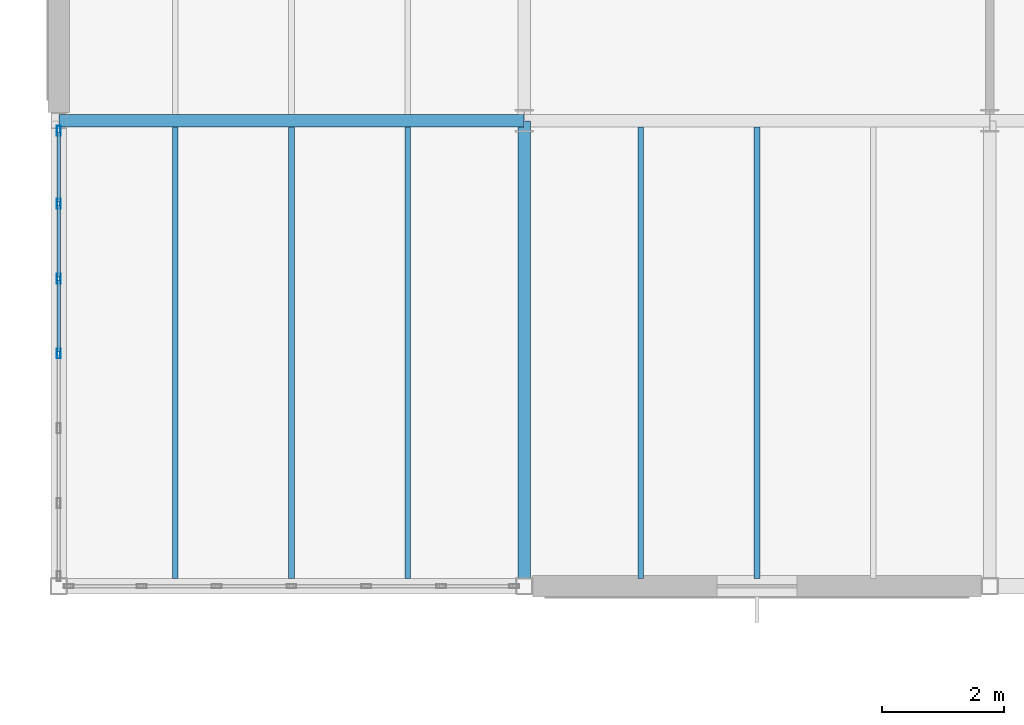
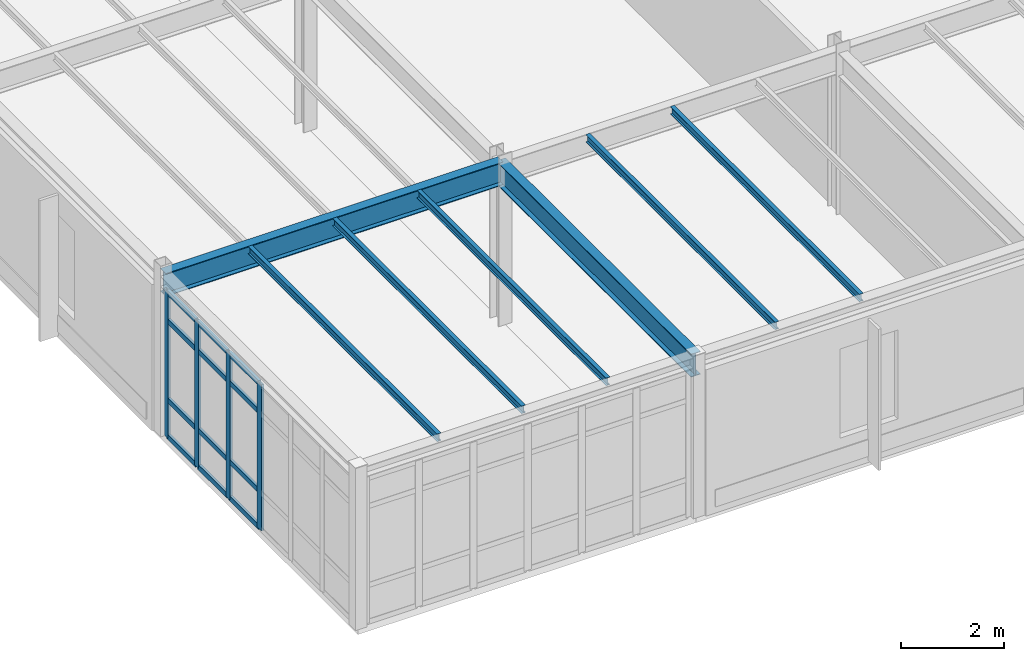
# One storey, part 59 of 189: 16 members, 7 beams, 1 element without a shape of its own.
"""IFC4 building model written with IfcOpenShell, lengths in metres."""

import ifcopenshell
import ifcopenshell.guid

model = None  # the IFC model being written
_history = None  # IfcOwnerHistory: only IFC2X3 demands one
_inside = {}  # id of a spatial element -> (the spatial element, [elements in it])
_under = {}  # id of a project, library or spatial element -> (it, [spatial elements below it])
_declared = {}  # id of a project -> (the project, [libraries it declares])
_typed = {}  # id of a type object -> (the type object, [elements of that type])
_made_of = {}  # id of a material, layer set ... -> (it, [elements and type objects made of it])


def new_model(schema):
    """Start an empty IFC model of exactly this schema.

    Asked for "IFC4X3", IfcOpenShell would pick the latest addendum, in which some entities
    have other attributes; the version numbers below select the first issue.
    IFC2X3 requires an IfcOwnerHistory on every rooted entity: one is made here for all.
    """
    global model, _history
    if schema == "IFC4X3":
        model = ifcopenshell.file(schema_version=(4, 3, 0, 0))
    else:
        model = ifcopenshell.file(schema=schema)
    _inside.clear()
    _under.clear()
    _declared.clear()
    _typed.clear()
    _made_of.clear()
    _history = None
    if model.schema == "IFC2X3":
        org = make("IfcOrganization", Name="unknown")
        user = make(
            "IfcPersonAndOrganization",
            ThePerson=make("IfcPerson", FamilyName="unknown"),
            TheOrganization=org,
        )
        app = make(
            "IfcApplication",
            ApplicationDeveloper=org,
            Version="unknown",
            ApplicationFullName="unknown",
            ApplicationIdentifier="unknown",
        )
        _history = make(
            "IfcOwnerHistory",
            OwningUser=user,
            OwningApplication=app,
            ChangeAction="ADDED",
            CreationDate=0,
        )
    return model


def make(cls, **values):
    """One entity of the class cls with the attributes given. An attribute that is None is left unset."""
    return model.create_entity(
        cls, **{name: value for name, value in values.items() if value is not None}
    )


def rooted(cls, **values):
    """An entity with a GlobalId (a new one), such as an element, a storey or a relation."""
    return make(cls, GlobalId=ifcopenshell.guid.new(), OwnerHistory=_history, **values)


def si_unit(unit_type, name, prefix=None):
    """IfcSIUnit, for example si_unit("LENGTHUNIT", "METRE", prefix="MILLI")."""
    return make("IfcSIUnit", UnitType=unit_type, Prefix=prefix, Name=name)


def assignment(units):
    """IfcUnitAssignment: the units of a project."""
    return None if units is None else make("IfcUnitAssignment", Units=units)


def point(xyz):
    """IfcCartesianPoint."""
    return None if xyz is None else make("IfcCartesianPoint", Coordinates=xyz)


def direction(xyz):
    """IfcDirection."""
    return None if xyz is None else make("IfcDirection", DirectionRatios=xyz)


def frame(location, z_axis=None, x_axis=None):
    """IfcAxis2Placement3D, a coordinate frame: its origin and axes. An axis left out is left unset."""
    return make(
        "IfcAxis2Placement3D",
        Location=point(location),
        Axis=direction(z_axis),
        RefDirection=direction(x_axis),
    )


def frame_2d(location, x_axis=None):
    """IfcAxis2Placement2D, a coordinate frame in the plane: its origin and x axis."""
    return make(
        "IfcAxis2Placement2D", Location=point(location), RefDirection=direction(x_axis)
    )


def origin():
    """The frame at (0, 0, 0) with its axes left unset."""
    return frame((0.0, 0.0, 0.0))


def origin_2d():
    """The frame at (0, 0) in the plane with its x axis left unset."""
    return frame_2d((0.0, 0.0))


def place(relative_to, where):
    """IfcLocalPlacement: puts the frame where relative to a parent placement (None: the world)."""
    return make(
        "IfcLocalPlacement", PlacementRelTo=relative_to, RelativePlacement=where
    )


def context(
    kind, dimensions, precision=None, world=None, true_north=None, identifier=None
):
    """IfcGeometricRepresentationContext, for example the 3D "Model" context."""
    return make(
        "IfcGeometricRepresentationContext",
        ContextIdentifier=identifier,
        ContextType=kind,
        CoordinateSpaceDimension=dimensions,
        Precision=precision,
        WorldCoordinateSystem=world,
        TrueNorth=true_north,
    )


def subcontext(parent, identifier, kind, view, scale=None):
    """IfcGeometricRepresentationSubContext, for example "Body" below "Model"."""
    return make(
        "IfcGeometricRepresentationSubContext",
        ContextIdentifier=identifier,
        ContextType=kind,
        ParentContext=parent,
        TargetScale=scale,
        TargetView=view,
    )


def project(units=None, contexts=None):
    """IfcProject with its units and contexts."""
    return rooted(
        "IfcProject",
        Name="project",
        RepresentationContexts=contexts,
        UnitsInContext=assignment(units),
    )


def spatial(cls, under=None, at=None, **own):
    """A site, building, storey or space (cls), placed at a placement, below another one or the project."""
    s = rooted(cls, ObjectPlacement=at, **own)
    if under is not None:
        _under.setdefault(under.id(), (under, []))[1].append(s)
    return s


def profile(cls, at=None, kind="AREA", **sizes):
    """A parametric profile (cls). Its sizes go by their IFC names, for example OverallWidth=200.0."""
    return make(cls, ProfileType=kind, Position=at, **sizes)


def hollow_rectangle(**sizes):
    """IfcRectangleHollowProfileDef."""
    return profile("IfcRectangleHollowProfileDef", **sizes)


def i_section(**sizes):
    """IfcIShapeProfileDef."""
    return profile("IfcIShapeProfileDef", **sizes)


def extrude(swept, where, along, depth):
    """IfcExtrudedAreaSolid: the profile swept, set in the frame where, extruded along a direction by depth."""
    return make(
        "IfcExtrudedAreaSolid",
        SweptArea=swept,
        Position=where,
        ExtrudedDirection=direction(along),
        Depth=depth,
    )


def shape(context_of_items, identifier, shape_type, items):
    """IfcShapeRepresentation: the items that make up one representation, for example the "Body"."""
    return make(
        "IfcShapeRepresentation",
        ContextOfItems=context_of_items,
        RepresentationIdentifier=identifier,
        RepresentationType=shape_type,
        Items=items,
    )


def material(Name=None, Category=None):
    """IfcMaterial."""
    return make("IfcMaterial", Name=Name, Category=Category)


def layer(
    of_material, thickness, ventilated=None, Name=None, Category=None, Priority=None
):
    """IfcMaterialLayer: one layer of a wall or slab, of a material (None: an air gap)."""
    return make(
        "IfcMaterialLayer",
        Material=of_material,
        LayerThickness=thickness,
        IsVentilated=ventilated,
        Name=Name,
        Category=Category,
        Priority=Priority,
    )


def layer_set(layers, Name=None):
    """IfcMaterialLayerSet."""
    return make("IfcMaterialLayerSet", MaterialLayers=layers, LayerSetName=Name)


def material_profile(
    of_material, cross_section, Name=None, Category=None, Priority=None
):
    """IfcMaterialProfile: a cross section and its material."""
    return make(
        "IfcMaterialProfile",
        Name=Name,
        Material=of_material,
        Profile=cross_section,
        Priority=Priority,
        Category=Category,
    )


def profile_set(profiles, Name=None, composite=None):
    """IfcMaterialProfileSet."""
    return make(
        "IfcMaterialProfileSet",
        Name=Name,
        MaterialProfiles=profiles,
        CompositeProfile=composite,
    )


def made_of(thing, what):
    """Note that an element or type object is made of a material, layer set ...; save() writes the relation."""
    if what is not None:
        _made_of.setdefault(what.id(), (what, []))[1].append(thing)
    return thing


def type_object(cls, material=None, **own):
    """A type object (cls), such as IfcWallType, which elements share."""
    return made_of(rooted(cls, **own), material)


def element(
    cls,
    number,
    at=None,
    inside=None,
    cuts=None,
    type_object=None,
    material=None,
    context=None,
    identifier="Body",
    shape_type=None,
    held_by="IfcProductDefinitionShape",
    body=None,
    shapes=None,
    **own,
):
    """One element of the class cls, such as IfcWall. Its Tag is "e" and its number.

    at: its placement. inside: the storey or other place that contains it. cuts: it is an
    opening in that element (IfcRelVoidsElement). A single representation is given by context,
    identifier, shape_type and body (its items); several are given by shapes. held_by: the class
    of the entity that holds the representations. save() writes the other relations.
    """
    e = rooted(cls, Tag="e%d" % number, ObjectPlacement=at, **own)
    if body is not None:
        shapes = [shape(context, identifier, shape_type, body)]
    if shapes is not None:
        e.Representation = make(held_by, Representations=shapes)
    if inside is not None:
        _inside.setdefault(inside.id(), (inside, []))[1].append(e)
    if cuts is not None:
        rooted(
            "IfcRelVoidsElement", RelatingBuildingElement=cuts, RelatedOpeningElement=e
        )
    if type_object is not None:
        _typed.setdefault(type_object.id(), (type_object, []))[1].append(e)
    return made_of(e, material)


def aggregate(whole, parts):
    """IfcRelAggregates: a whole, such as a stair, and the parts it consists of."""
    return rooted("IfcRelAggregates", RelatingObject=whole, RelatedObjects=parts)


def save(model, path):
    """Write the relations noted so far, then the file.

    IfcRelAggregates (storeys below a building ...), IfcRelContainedInSpatialStructure (elements
    in a storey), IfcRelDefinesByType, IfcRelAssociatesMaterial and IfcRelDeclares: one each for
    every whole, place, type object, material and project.
    """
    for whole, parts in _under.values():
        aggregate(whole, parts)
    for where, things in _inside.values():
        rooted(
            "IfcRelContainedInSpatialStructure",
            RelatedElements=things,
            RelatingStructure=where,
        )
    for kind, things in _typed.values():
        rooted("IfcRelDefinesByType", RelatedObjects=things, RelatingType=kind)
    for what, things in _made_of.values():
        rooted("IfcRelAssociatesMaterial", RelatedObjects=things, RelatingMaterial=what)
    for by, libraries in _declared.values():
        rooted("IfcRelDeclares", RelatingContext=by, RelatedDefinitions=libraries)
    model.write(path)


model = new_model("IFC4")

# Units and contexts
model_context = context("Model", 3, precision=1e-05, world=origin(), true_north=direction((0.0, 1.0)))
body_context = subcontext(model_context, "Body", "Model", "MODEL_VIEW")
ifc_project = project(units=[si_unit("LENGTHUNIT", "METRE"), si_unit("AREAUNIT", "SQUARE_METRE"), si_unit("VOLUMEUNIT", "CUBIC_METRE"), si_unit("PLANEANGLEUNIT", "RADIAN"), si_unit("MASSUNIT", "GRAM", prefix="KILO")], contexts=[model_context])

# Site, building, storey
site_placement = place(None, origin())
site = spatial("IfcSite", under=ifc_project, at=site_placement, CompositionType="ELEMENT")
building_placement = place(site_placement, origin())
building = spatial("IfcBuilding", under=site, at=building_placement, Name="Montecoro Central Library", CompositionType="ELEMENT")
storey_placement = place(building_placement, frame((0.0, 0.0, 9.179931640625)))
storey = spatial("IfcBuildingStorey", under=building, at=storey_placement, Name="L02", CompositionType="ELEMENT", Elevation=9.179931640625)

# Beams
ifc_material_1 = material(Name="Steel S355J2", Category="steel")
ifc_material_profile_1 = material_profile(ifc_material_1, i_section(OverallWidth=0.2099609375, OverallDepth=0.550048828125, WebThickness=0.010986328125, FlangeThickness=0.01708984375, at=origin_2d()), Name="IPE 550")
ifc_profile_set_1 = profile_set([ifc_material_profile_1], Name="Steel S355J2")
beam_type_1 = type_object("IfcBeamType", Name="BM-G-IPE550", PredefinedType="USERDEFINED", material=ifc_profile_set_1)
for number, where, z_axis, x_axis, name in (
    (1, (5.0048828125, 81.0, 3.550048828125), (1.0, 0.0, 0.0), (0.0, 1.0, 0.0), "V4-L02-BX-12-L"),
    (2, (12.60009765625, 73.405029296875, 3.550048828125), (0.0, 1.0, 0.0), (-1.0, 0.0, 0.0), "V4-L02-BY-2-KL"),
):
    element("IfcBeam", number, at=place(storey_placement, frame(where, z_axis=z_axis, x_axis=x_axis)), inside=storey, type_object=beam_type_1, Name=name, ObjectType="GIRDER", PredefinedType="USERDEFINED", context=body_context, shape_type="SweptSolid", body=[
        extrude(i_section(OverallWidth=0.2099609375, OverallDepth=0.550048828125, WebThickness=0.010986328125, FlangeThickness=0.01708984375, at=origin_2d()), origin(), (0.0, 0.0, 1.0), 7.590087890625),
    ])
ifc_material_2 = material(Name="Steel S355", Category="steel")
ifc_material_profile_2 = material_profile(ifc_material_2, i_section(OverallWidth=0.091064453125, OverallDepth=0.179931640625, WebThickness=0.00537109375, FlangeThickness=0.008056640625, at=origin_2d()), Name="IPE 180")
ifc_profile_set_2 = profile_set([ifc_material_profile_2], Name="Steel S355")
beam_type_2 = type_object("IfcBeamType", Name="BM-J-IPE180", PredefinedType="JOIST", material=ifc_profile_set_2)
for number, where, z_axis, x_axis, name in (
    (3, (6.89990234375, 73.527099609375, 3.735107421875), (0.0, 1.0, 0.0), (-1.0, 0.0, 0.0), "V4-L02-JS-12-KL-1"),
    (4, (8.800048828125, 73.527099609375, 3.735107421875), (0.0, 1.0, 0.0), (-1.0, 0.0, 0.0), "V4-L02-JS-12-KL-2"),
    (5, (10.699951171875, 73.527099609375, 3.735107421875), (0.0, 1.0, 0.0), (-1.0, 0.0, 0.0), "V4-L02-JS-12-KL-3"),
    (6, (14.5, 73.527099609375, 3.735107421875), (0.0, 1.0, 0.0), (-1.0, 0.0, 0.0), "V4-L02-JS-23-KL-1"),
    (7, (16.39990234375, 73.527099609375, 3.735107421875), (0.0, 1.0, 0.0), (-1.0, 0.0, 0.0), "V4-L02-JS-23-KL-2"),
):
    element("IfcBeam", number, at=place(storey_placement, frame(where, z_axis=z_axis, x_axis=x_axis)), inside=storey, type_object=beam_type_2, Name=name, PredefinedType="JOIST", context=body_context, shape_type="SweptSolid", body=[
        extrude(i_section(OverallWidth=0.091064453125, OverallDepth=0.179931640625, WebThickness=0.00537109375, FlangeThickness=0.008056640625, at=origin_2d()), origin(), (0.0, 0.0, 1.0), 7.370849609375),
    ])

# Curtain wall, members
ifc_material_3 = material(Name="Bronze-anodised aluminium and low-E glazing", Category="aluminium")
ifc_layer = layer(ifc_material_3, 0.159912109375)
ifc_layer_set = layer_set([ifc_layer], Name="Bronze-anodised aluminium and low-E glazing")
curtain_wall_type = type_object("IfcCurtainWallType", Name="CWT-049", PredefinedType="NOTDEFINED", material=ifc_layer_set)
curtain_wall_placement = place(storey_placement, origin())
curtain_wall = element("IfcCurtainWall", 8, at=curtain_wall_placement, inside=storey, type_object=curtain_wall_type, Name="V4-L02-CW-W0", PredefinedType="NOTDEFINED")
ifc_material_4 = material(Name="Bronze-anodised aluminium", Category="aluminium")
ifc_material_profile_3 = material_profile(ifc_material_4, hollow_rectangle(XDim=0.06005859375, YDim=0.159912109375, WallThickness=0.00390625, at=origin_2d()), Name="CWM 160x60x4.0")
ifc_profile_set_3 = profile_set([ifc_material_profile_3], Name="Bronze-anodised aluminium")
member_type_1 = type_object("IfcMemberType", Name="CWM-BRZ-60", PredefinedType="MULLION", material=ifc_profile_set_3)
member_1_placement = place(storey_placement, frame((5.0, 80.8369140625, 0.0), z_axis=(0.0, 0.0, 1.0), x_axis=(1.0, 0.0, 0.0)))
member_1 = element("IfcMember", 9, at=member_1_placement, type_object=member_type_1, Name="CW-049 mullion 1", PredefinedType="MULLION", context=body_context, shape_type="SweptSolid", body=[
    extrude(hollow_rectangle(XDim=0.06005859375, YDim=0.159912109375, WallThickness=0.00390625, at=origin_2d()), origin(), (0.0, 0.0, 1.0), 3.47998046875),
])
member_2_placement = place(storey_placement, frame((5.0, 79.644775390625, 0.0), z_axis=(0.0, 0.0, 1.0), x_axis=(1.0, 0.0, 0.0)))
member_2 = element("IfcMember", 10, at=member_2_placement, type_object=member_type_1, Name="CW-049 mullion 2", PredefinedType="MULLION", context=body_context, shape_type="SweptSolid", body=[
    extrude(hollow_rectangle(XDim=0.06005859375, YDim=0.159912109375, WallThickness=0.00390625, at=origin_2d()), origin(), (0.0, 0.0, 1.0), 3.47998046875),
])
member_3_placement = place(storey_placement, frame((5.0, 78.42236328125, 0.0), z_axis=(0.0, 0.0, 1.0), x_axis=(1.0, 0.0, 0.0)))
member_3 = element("IfcMember", 11, at=member_3_placement, type_object=member_type_1, Name="CW-049 mullion 3", PredefinedType="MULLION", context=body_context, shape_type="SweptSolid", body=[
    extrude(hollow_rectangle(XDim=0.06005859375, YDim=0.159912109375, WallThickness=0.00390625, at=origin_2d()), origin(), (0.0, 0.0, 1.0), 3.47998046875),
])
member_4_placement = place(storey_placement, frame((5.0, 77.199951171875, 0.0), z_axis=(0.0, 0.0, 1.0), x_axis=(1.0, 0.0, 0.0)))
member_4 = element("IfcMember", 12, at=member_4_placement, type_object=member_type_1, Name="CW-049 mullion 4", PredefinedType="MULLION", context=body_context, shape_type="SweptSolid", body=[
    extrude(hollow_rectangle(XDim=0.06005859375, YDim=0.159912109375, WallThickness=0.00390625, at=origin_2d()), origin(), (0.0, 0.0, 1.0), 3.47998046875),
])
ifc_material_profile_4 = material_profile(ifc_material_4, hollow_rectangle(XDim=0.06005859375, YDim=0.1201171875, WallThickness=0.00390625, at=origin_2d()), Name="CWT 120x60x4.0")
ifc_profile_set_4 = profile_set([ifc_material_profile_4], Name="Bronze-anodised aluminium")
member_type_2 = type_object("IfcMemberType", Name="CWT-BRZ-60", PredefinedType="USERDEFINED", material=ifc_profile_set_4)
member_5_placement = place(storey_placement, frame((5.0, 80.806884765625, 0.030029296875), z_axis=(0.0, -1.0, 0.0), x_axis=(1.0, 0.0, 0.0)))
member_5 = element("IfcMember", 13, at=member_5_placement, type_object=member_type_2, Name="CW-049 transom 1.1", ObjectType="TRANSOM", PredefinedType="USERDEFINED", context=body_context, shape_type="SweptSolid", body=[
    extrude(hollow_rectangle(XDim=0.06005859375, YDim=0.1201171875, WallThickness=0.00390625, at=origin_2d()), origin(), (0.0, 0.0, 1.0), 1.13232421875),
])
member_6_placement = place(storey_placement, frame((5.0, 80.806884765625, 0.900146484375), z_axis=(0.0, -1.0, 0.0), x_axis=(1.0, 0.0, 0.0)))
member_6 = element("IfcMember", 14, at=member_6_placement, type_object=member_type_2, Name="CW-049 transom 1.2", ObjectType="TRANSOM", PredefinedType="USERDEFINED", context=body_context, shape_type="SweptSolid", body=[
    extrude(hollow_rectangle(XDim=0.06005859375, YDim=0.1201171875, WallThickness=0.00390625, at=origin_2d()), origin(), (0.0, 0.0, 1.0), 1.13232421875),
])
member_7_placement = place(storey_placement, frame((5.0, 80.806884765625, 2.780029296875), z_axis=(0.0, -1.0, 0.0), x_axis=(1.0, 0.0, 0.0)))
member_7 = element("IfcMember", 15, at=member_7_placement, type_object=member_type_2, Name="CW-049 transom 1.3", ObjectType="TRANSOM", PredefinedType="USERDEFINED", context=body_context, shape_type="SweptSolid", body=[
    extrude(hollow_rectangle(XDim=0.06005859375, YDim=0.1201171875, WallThickness=0.00390625, at=origin_2d()), origin(), (0.0, 0.0, 1.0), 1.13232421875),
])
member_8_placement = place(storey_placement, frame((5.0, 80.806884765625, 3.449951171875), z_axis=(0.0, -1.0, 0.0), x_axis=(1.0, 0.0, 0.0)))
member_8 = element("IfcMember", 16, at=member_8_placement, type_object=member_type_2, Name="CW-049 transom 1.4", ObjectType="TRANSOM", PredefinedType="USERDEFINED", context=body_context, shape_type="SweptSolid", body=[
    extrude(hollow_rectangle(XDim=0.06005859375, YDim=0.1201171875, WallThickness=0.00390625, at=origin_2d()), origin(), (0.0, 0.0, 1.0), 1.13232421875),
])
member_9_placement = place(storey_placement, frame((5.0, 79.61474609375, 0.030029296875), z_axis=(0.0, -1.0, 0.0), x_axis=(1.0, 0.0, 0.0)))
member_9 = element("IfcMember", 17, at=member_9_placement, type_object=member_type_2, Name="CW-049 transom 2.1", ObjectType="TRANSOM", PredefinedType="USERDEFINED", context=body_context, shape_type="SweptSolid", body=[
    extrude(hollow_rectangle(XDim=0.06005859375, YDim=0.1201171875, WallThickness=0.00390625, at=origin_2d()), origin(), (0.0, 0.0, 1.0), 1.162353515625),
])
member_10_placement = place(storey_placement, frame((5.0, 79.61474609375, 0.900146484375), z_axis=(0.0, -1.0, 0.0), x_axis=(1.0, 0.0, 0.0)))
member_10 = element("IfcMember", 18, at=member_10_placement, type_object=member_type_2, Name="CW-049 transom 2.2", ObjectType="TRANSOM", PredefinedType="USERDEFINED", context=body_context, shape_type="SweptSolid", body=[
    extrude(hollow_rectangle(XDim=0.06005859375, YDim=0.1201171875, WallThickness=0.00390625, at=origin_2d()), origin(), (0.0, 0.0, 1.0), 1.162353515625),
])
member_11_placement = place(storey_placement, frame((5.0, 79.61474609375, 2.780029296875), z_axis=(0.0, -1.0, 0.0), x_axis=(1.0, 0.0, 0.0)))
member_11 = element("IfcMember", 19, at=member_11_placement, type_object=member_type_2, Name="CW-049 transom 2.3", ObjectType="TRANSOM", PredefinedType="USERDEFINED", context=body_context, shape_type="SweptSolid", body=[
    extrude(hollow_rectangle(XDim=0.06005859375, YDim=0.1201171875, WallThickness=0.00390625, at=origin_2d()), origin(), (0.0, 0.0, 1.0), 1.162353515625),
])
member_12_placement = place(storey_placement, frame((5.0, 79.61474609375, 3.449951171875), z_axis=(0.0, -1.0, 0.0), x_axis=(1.0, 0.0, 0.0)))
member_12 = element("IfcMember", 20, at=member_12_placement, type_object=member_type_2, Name="CW-049 transom 2.4", ObjectType="TRANSOM", PredefinedType="USERDEFINED", context=body_context, shape_type="SweptSolid", body=[
    extrude(hollow_rectangle(XDim=0.06005859375, YDim=0.1201171875, WallThickness=0.00390625, at=origin_2d()), origin(), (0.0, 0.0, 1.0), 1.162353515625),
])
member_13_placement = place(storey_placement, frame((5.0, 78.392333984375, 0.030029296875), z_axis=(0.0, -1.0, 0.0), x_axis=(1.0, 0.0, 0.0)))
member_13 = element("IfcMember", 21, at=member_13_placement, type_object=member_type_2, Name="CW-049 transom 3.1", ObjectType="TRANSOM", PredefinedType="USERDEFINED", context=body_context, shape_type="SweptSolid", body=[
    extrude(hollow_rectangle(XDim=0.06005859375, YDim=0.1201171875, WallThickness=0.00390625, at=origin_2d()), origin(), (0.0, 0.0, 1.0), 1.162353515625),
])
member_14_placement = place(storey_placement, frame((5.0, 78.392333984375, 0.900146484375), z_axis=(0.0, -1.0, 0.0), x_axis=(1.0, 0.0, 0.0)))
member_14 = element("IfcMember", 22, at=member_14_placement, type_object=member_type_2, Name="CW-049 transom 3.2", ObjectType="TRANSOM", PredefinedType="USERDEFINED", context=body_context, shape_type="SweptSolid", body=[
    extrude(hollow_rectangle(XDim=0.06005859375, YDim=0.1201171875, WallThickness=0.00390625, at=origin_2d()), origin(), (0.0, 0.0, 1.0), 1.162353515625),
])
member_15_placement = place(storey_placement, frame((5.0, 78.392333984375, 2.780029296875), z_axis=(0.0, -1.0, 0.0), x_axis=(1.0, 0.0, 0.0)))
member_15 = element("IfcMember", 23, at=member_15_placement, type_object=member_type_2, Name="CW-049 transom 3.3", ObjectType="TRANSOM", PredefinedType="USERDEFINED", context=body_context, shape_type="SweptSolid", body=[
    extrude(hollow_rectangle(XDim=0.06005859375, YDim=0.1201171875, WallThickness=0.00390625, at=origin_2d()), origin(), (0.0, 0.0, 1.0), 1.162353515625),
])
member_16_placement = place(storey_placement, frame((5.0, 78.392333984375, 3.449951171875), z_axis=(0.0, -1.0, 0.0), x_axis=(1.0, 0.0, 0.0)))
member_16 = element("IfcMember", 24, at=member_16_placement, type_object=member_type_2, Name="CW-049 transom 3.4", ObjectType="TRANSOM", PredefinedType="USERDEFINED", context=body_context, shape_type="SweptSolid", body=[
    extrude(hollow_rectangle(XDim=0.06005859375, YDim=0.1201171875, WallThickness=0.00390625, at=origin_2d()), origin(), (0.0, 0.0, 1.0), 1.162353515625),
])
aggregate(curtain_wall, [member_1, member_2, member_3, member_4, member_5, member_6, member_7, member_8, member_9, member_10, member_11, member_12, member_13, member_14, member_15, member_16])

save(model, "model.ifc")
